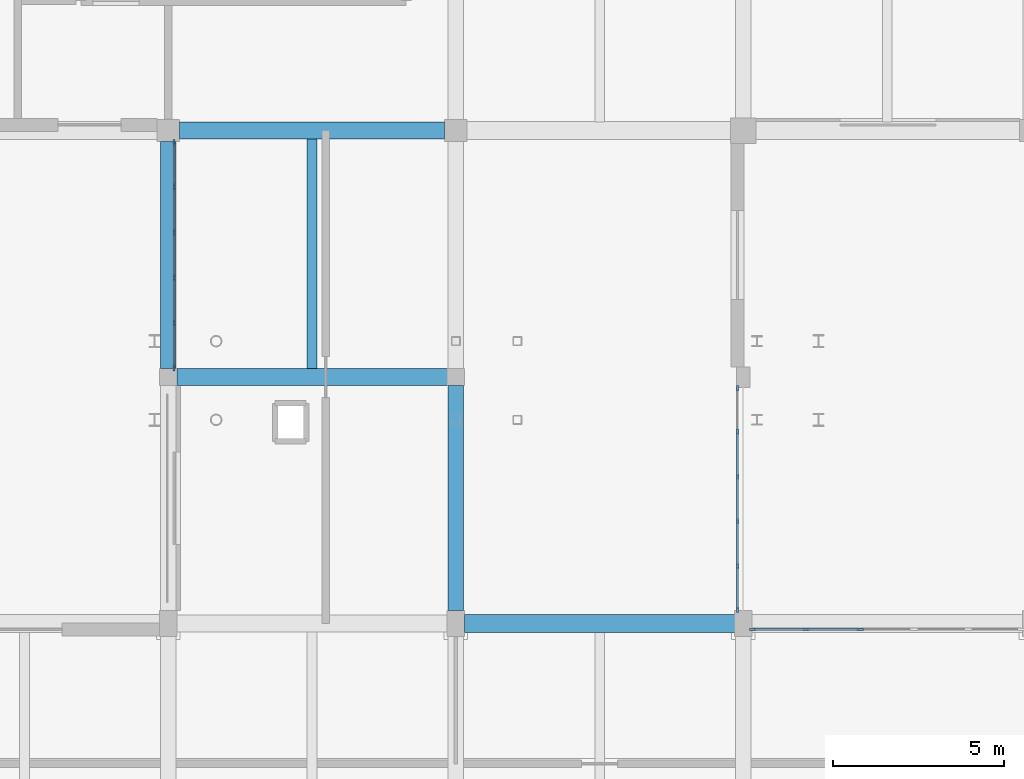
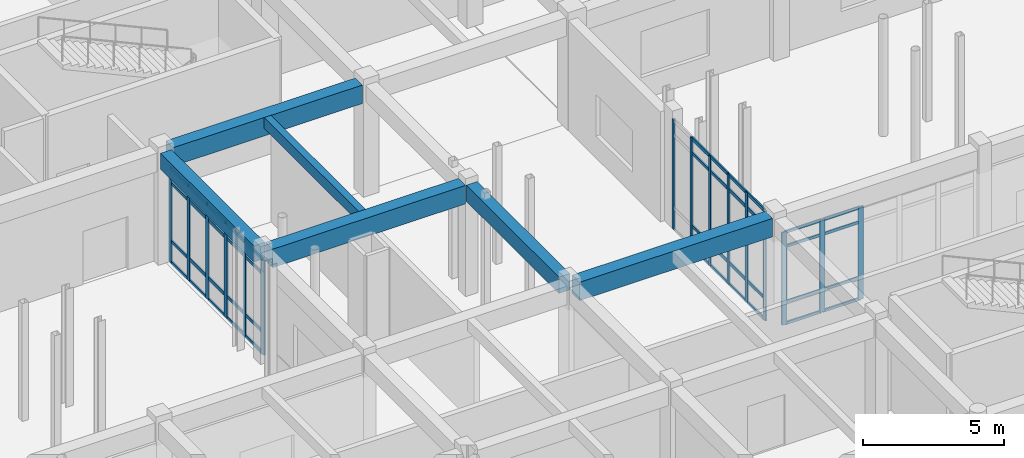
# One storey, part 49 of 121: 59 members, 6 beams, 3 elements without a shape of their own.
"""IFC4 building model written with IfcOpenShell, lengths in metres."""

from ifc_helpers import new_model, si_unit, direction, frame, origin, origin_2d, place, context, subcontext, project, spatial, rectangle, extrude, material, material_profile, profile_set, type_object, element, aggregate, save


model = new_model("IFC4")

# Units and contexts
model_context = context("Model", 3, precision=1e-05, world=origin(), true_north=direction((0.0, 1.0)))
body_context = subcontext(model_context, "Body", "Model", "MODEL_VIEW")
ifc_project = project(units=[si_unit("LENGTHUNIT", "METRE"), si_unit("AREAUNIT", "SQUARE_METRE"), si_unit("VOLUMEUNIT", "CUBIC_METRE"), si_unit("PLANEANGLEUNIT", "RADIAN"), si_unit("MASSUNIT", "GRAM", prefix="KILO")], contexts=[model_context])

# Site, building, storey
site_placement = place(None, origin())
site = spatial("IfcSite", under=ifc_project, at=site_placement, CompositionType="ELEMENT")
building_placement = place(site_placement, origin())
building = spatial("IfcBuilding", under=site, at=building_placement, Name="Malvenik Polytechnic", CompositionType="ELEMENT")
storey_placement = place(building_placement, origin())
storey = spatial("IfcBuildingStorey", under=building, at=storey_placement, Name="L00", CompositionType="ELEMENT", Elevation=0.0)

# Curtain wall, members
ifc_material_1 = material(Name="Anodised aluminium 6060-T6", Category="aluminium")
curtain_wall_type_1 = type_object("IfcCurtainWallType", Name="ARC-CW-CW-13", PredefinedType="NOTDEFINED", material=ifc_material_1)
curtain_wall_1_placement = place(storey_placement, origin())
curtain_wall_1 = element("IfcCurtainWall", 1, at=curtain_wall_1_placement, inside=storey, type_object=curtain_wall_type_1, Name="Unitised Curtain Wall CW-13 L00 #20", PredefinedType="NOTDEFINED")
ifc_material_2 = material(Name="Anodised aluminium", Category="aluminium")
ifc_material_profile_1 = material_profile(ifc_material_2, rectangle(XDim=0.06005859375, YDim=0.159912109375, at=origin_2d()), Name="ALU MULLION 60x160")
ifc_profile_set_1 = profile_set([ifc_material_profile_1], Name="Anodised aluminium")
member_type_1 = type_object("IfcMemberType", Name="ARC-CWM-160", PredefinedType="MULLION", material=ifc_profile_set_1)
member_1_placement = place(storey_placement, frame((92.22998046875, 71.672119140625, 0.0), z_axis=(0.0, 0.0, 1.0), x_axis=(1.0, 0.0, 0.0)))
member_1 = element("IfcMember", 2, at=member_1_placement, type_object=member_type_1, Name="CW-13 mullion 1", PredefinedType="MULLION", context=body_context, shape_type="SweptSolid", body=[
    extrude(rectangle(XDim=0.06005859375, YDim=0.159912109375, at=origin_2d()), origin(), (0.0, 0.0, 1.0), 4.760009765625),
])
member_2_placement = place(storey_placement, frame((92.22998046875, 70.396240234375, 0.0), z_axis=(0.0, 0.0, 1.0), x_axis=(1.0, 0.0, 0.0)))
member_2 = element("IfcMember", 3, at=member_2_placement, type_object=member_type_1, Name="CW-13 mullion 2", PredefinedType="MULLION", context=body_context, shape_type="SweptSolid", body=[
    extrude(rectangle(XDim=0.06005859375, YDim=0.159912109375, at=origin_2d()), origin(), (0.0, 0.0, 1.0), 4.760009765625),
])
member_3_placement = place(storey_placement, frame((92.22998046875, 69.09033203125, 0.0), z_axis=(0.0, 0.0, 1.0), x_axis=(1.0, 0.0, 0.0)))
member_3 = element("IfcMember", 4, at=member_3_placement, type_object=member_type_1, Name="CW-13 mullion 3", PredefinedType="MULLION", context=body_context, shape_type="SweptSolid", body=[
    extrude(rectangle(XDim=0.06005859375, YDim=0.159912109375, at=origin_2d()), origin(), (0.0, 0.0, 1.0), 4.760009765625),
])
member_4_placement = place(storey_placement, frame((92.22998046875, 67.78466796875, 0.0), z_axis=(0.0, 0.0, 1.0), x_axis=(1.0, 0.0, 0.0)))
member_4 = element("IfcMember", 5, at=member_4_placement, type_object=member_type_1, Name="CW-13 mullion 4", PredefinedType="MULLION", context=body_context, shape_type="SweptSolid", body=[
    extrude(rectangle(XDim=0.06005859375, YDim=0.159912109375, at=origin_2d()), origin(), (0.0, 0.0, 1.0), 4.760009765625),
])
member_5_placement = place(storey_placement, frame((92.22998046875, 66.478759765625, 0.0), z_axis=(0.0, 0.0, 1.0), x_axis=(1.0, 0.0, 0.0)))
member_5 = element("IfcMember", 6, at=member_5_placement, type_object=member_type_1, Name="CW-13 mullion 5", PredefinedType="MULLION", context=body_context, shape_type="SweptSolid", body=[
    extrude(rectangle(XDim=0.06005859375, YDim=0.159912109375, at=origin_2d()), origin(), (0.0, 0.0, 1.0), 4.760009765625),
])
member_6_placement = place(storey_placement, frame((92.22998046875, 65.202880859375, 0.0), z_axis=(0.0, 0.0, 1.0), x_axis=(1.0, 0.0, 0.0)))
member_6 = element("IfcMember", 7, at=member_6_placement, type_object=member_type_1, Name="CW-13 mullion 6", PredefinedType="MULLION", context=body_context, shape_type="SweptSolid", body=[
    extrude(rectangle(XDim=0.06005859375, YDim=0.159912109375, at=origin_2d()), origin(), (0.0, 0.0, 1.0), 4.760009765625),
])

curtain_wall_type_2 = type_object("IfcCurtainWallType", Name="ARC-CW-CW-04", PredefinedType="NOTDEFINED", material=ifc_material_1)
curtain_wall_2_placement = place(storey_placement, origin())
curtain_wall_2 = element("IfcCurtainWall", 8, at=curtain_wall_2_placement, inside=storey, type_object=curtain_wall_type_2, Name="Unitised Curtain Wall CW-04 L00 #6", PredefinedType="NOTDEFINED")
ifc_material_profile_2 = material_profile(ifc_material_2, rectangle(XDim=0.06005859375, YDim=0.199951171875, at=origin_2d()), Name="ALU MULLION 60x200")
ifc_profile_set_2 = profile_set([ifc_material_profile_2], Name="Anodised aluminium")
member_type_2 = type_object("IfcMemberType", Name="ARC-CWM-200", PredefinedType="MULLION", material=ifc_profile_set_2)
member_7_placement = place(storey_placement, frame((75.77001953125, 72.278076171875, 0.0), z_axis=(0.0, 0.0, 1.0), x_axis=(-1.0, 0.0, 0.0)))
member_7 = element("IfcMember", 9, at=member_7_placement, type_object=member_type_2, Name="CW-04 mullion 1", PredefinedType="MULLION", context=body_context, shape_type="SweptSolid", body=[
    extrude(rectangle(XDim=0.06005859375, YDim=0.199951171875, at=origin_2d()), origin(), (0.0, 0.0, 1.0), 4.110107421875),
])
member_8_placement = place(storey_placement, frame((75.77001953125, 73.57373046875, 0.0), z_axis=(0.0, 0.0, 1.0), x_axis=(-1.0, 0.0, 0.0)))
member_8 = element("IfcMember", 10, at=member_8_placement, type_object=member_type_2, Name="CW-04 mullion 2", PredefinedType="MULLION", context=body_context, shape_type="SweptSolid", body=[
    extrude(rectangle(XDim=0.06005859375, YDim=0.199951171875, at=origin_2d()), origin(), (0.0, 0.0, 1.0), 4.110107421875),
])
member_9_placement = place(storey_placement, frame((75.77001953125, 74.899658203125, 0.0), z_axis=(0.0, 0.0, 1.0), x_axis=(-1.0, 0.0, 0.0)))
member_9 = element("IfcMember", 11, at=member_9_placement, type_object=member_type_2, Name="CW-04 mullion 3", PredefinedType="MULLION", context=body_context, shape_type="SweptSolid", body=[
    extrude(rectangle(XDim=0.06005859375, YDim=0.199951171875, at=origin_2d()), origin(), (0.0, 0.0, 1.0), 4.110107421875),
])
member_10_placement = place(storey_placement, frame((75.77001953125, 76.225341796875, 0.0), z_axis=(0.0, 0.0, 1.0), x_axis=(-1.0, 0.0, 0.0)))
member_10 = element("IfcMember", 12, at=member_10_placement, type_object=member_type_2, Name="CW-04 mullion 4", PredefinedType="MULLION", context=body_context, shape_type="SweptSolid", body=[
    extrude(rectangle(XDim=0.06005859375, YDim=0.199951171875, at=origin_2d()), origin(), (0.0, 0.0, 1.0), 4.110107421875),
])
member_11_placement = place(storey_placement, frame((75.77001953125, 77.55126953125, 0.0), z_axis=(0.0, 0.0, 1.0), x_axis=(-1.0, 0.0, 0.0)))
member_11 = element("IfcMember", 13, at=member_11_placement, type_object=member_type_2, Name="CW-04 mullion 5", PredefinedType="MULLION", context=body_context, shape_type="SweptSolid", body=[
    extrude(rectangle(XDim=0.06005859375, YDim=0.199951171875, at=origin_2d()), origin(), (0.0, 0.0, 1.0), 4.110107421875),
])
member_12_placement = place(storey_placement, frame((75.77001953125, 78.846923828125, 0.0), z_axis=(0.0, 0.0, 1.0), x_axis=(-1.0, 0.0, 0.0)))
member_12 = element("IfcMember", 14, at=member_12_placement, type_object=member_type_2, Name="CW-04 mullion 6", PredefinedType="MULLION", context=body_context, shape_type="SweptSolid", body=[
    extrude(rectangle(XDim=0.06005859375, YDim=0.199951171875, at=origin_2d()), origin(), (0.0, 0.0, 1.0), 4.110107421875),
])

curtain_wall_type_3 = type_object("IfcCurtainWallType", Name="ARC-CW-CW-01", PredefinedType="NOTDEFINED", material=ifc_material_1)
curtain_wall_3_placement = place(storey_placement, origin())
curtain_wall_3 = element("IfcCurtainWall", 15, at=curtain_wall_3_placement, inside=storey, type_object=curtain_wall_type_3, Name="Unitised Curtain Wall CW-01 L00 #21", PredefinedType="NOTDEFINED")
member_13_placement = place(storey_placement, frame((92.677978515625, 64.6298828125, 0.0), z_axis=(0.0, 0.0, 1.0), x_axis=(0.0, 1.0, 0.0)))
member_13 = element("IfcMember", 16, at=member_13_placement, type_object=member_type_2, Name="CW-01 mullion 1", PredefinedType="MULLION", context=body_context, shape_type="SweptSolid", body=[
    extrude(rectangle(XDim=0.06005859375, YDim=0.199951171875, at=origin_2d()), origin(), (0.0, 0.0, 1.0), 4.010009765625),
])
member_14_placement = place(storey_placement, frame((94.228759765625, 64.6298828125, 0.0), z_axis=(0.0, 0.0, 1.0), x_axis=(0.0, 1.0, 0.0)))
member_14 = element("IfcMember", 17, at=member_14_placement, type_object=member_type_2, Name="CW-01 mullion 2", PredefinedType="MULLION", context=body_context, shape_type="SweptSolid", body=[
    extrude(rectangle(XDim=0.06005859375, YDim=0.199951171875, at=origin_2d()), origin(), (0.0, 0.0, 1.0), 4.010009765625),
])
member_15_placement = place(storey_placement, frame((95.8095703125, 64.6298828125, 0.0), z_axis=(0.0, 0.0, 1.0), x_axis=(0.0, 1.0, 0.0)))
member_15 = element("IfcMember", 18, at=member_15_placement, type_object=member_type_2, Name="CW-01 mullion 3", PredefinedType="MULLION", context=body_context, shape_type="SweptSolid", body=[
    extrude(rectangle(XDim=0.06005859375, YDim=0.199951171875, at=origin_2d()), origin(), (0.0, 0.0, 1.0), 4.010009765625),
])
ifc_material_profile_3 = material_profile(ifc_material_2, rectangle(XDim=0.06005859375, YDim=0.1201171875, at=origin_2d()), Name="ALU TRANSOM 60x120")
ifc_profile_set_3 = profile_set([ifc_material_profile_3], Name="Anodised aluminium")
member_type_3 = type_object("IfcMemberType", Name="ARC-CWT-120", PredefinedType="USERDEFINED", material=ifc_profile_set_3)
member_16_placement = place(storey_placement, frame((92.7080078125, 64.6298828125, 0.030029296875), z_axis=(1.0, 0.0, 0.0), x_axis=(0.0, 1.0, 0.0)))
member_16 = element("IfcMember", 19, at=member_16_placement, type_object=member_type_3, Name="CW-01 transom 1.1", ObjectType="TRANSOM", PredefinedType="USERDEFINED", context=body_context, shape_type="SweptSolid", body=[
    extrude(rectangle(XDim=0.06005859375, YDim=0.1201171875, at=origin_2d()), origin(), (0.0, 0.0, 1.0), 1.49072265625),
])
member_17_placement = place(storey_placement, frame((92.7080078125, 64.6298828125, 0.949951171875), z_axis=(1.0, 0.0, 0.0), x_axis=(0.0, 1.0, 0.0)))
member_17 = element("IfcMember", 20, at=member_17_placement, type_object=member_type_3, Name="CW-01 transom 1.2", ObjectType="TRANSOM", PredefinedType="USERDEFINED", context=body_context, shape_type="SweptSolid", body=[
    extrude(rectangle(XDim=0.06005859375, YDim=0.1201171875, at=origin_2d()), origin(), (0.0, 0.0, 1.0), 1.49072265625),
])
member_18_placement = place(storey_placement, frame((92.7080078125, 64.6298828125, 3.360107421875), z_axis=(1.0, 0.0, 0.0), x_axis=(0.0, 1.0, 0.0)))
member_18 = element("IfcMember", 21, at=member_18_placement, type_object=member_type_3, Name="CW-01 transom 1.3", ObjectType="TRANSOM", PredefinedType="USERDEFINED", context=body_context, shape_type="SweptSolid", body=[
    extrude(rectangle(XDim=0.06005859375, YDim=0.1201171875, at=origin_2d()), origin(), (0.0, 0.0, 1.0), 1.49072265625),
])
member_19_placement = place(storey_placement, frame((92.7080078125, 64.6298828125, 3.97998046875), z_axis=(1.0, 0.0, 0.0), x_axis=(0.0, 1.0, 0.0)))
member_19 = element("IfcMember", 22, at=member_19_placement, type_object=member_type_3, Name="CW-01 transom 1.4", ObjectType="TRANSOM", PredefinedType="USERDEFINED", context=body_context, shape_type="SweptSolid", body=[
    extrude(rectangle(XDim=0.06005859375, YDim=0.1201171875, at=origin_2d()), origin(), (0.0, 0.0, 1.0), 1.49072265625),
])
member_20_placement = place(storey_placement, frame((94.2587890625, 64.6298828125, 0.030029296875), z_axis=(1.0, 0.0, 0.0), x_axis=(0.0, 1.0, 0.0)))
member_20 = element("IfcMember", 23, at=member_20_placement, type_object=member_type_3, Name="CW-01 transom 2.1", ObjectType="TRANSOM", PredefinedType="USERDEFINED", context=body_context, shape_type="SweptSolid", body=[
    extrude(rectangle(XDim=0.06005859375, YDim=0.1201171875, at=origin_2d()), origin(), (0.0, 0.0, 1.0), 1.520751953125),
])
member_21_placement = place(storey_placement, frame((94.2587890625, 64.6298828125, 0.949951171875), z_axis=(1.0, 0.0, 0.0), x_axis=(0.0, 1.0, 0.0)))
member_21 = element("IfcMember", 24, at=member_21_placement, type_object=member_type_3, Name="CW-01 transom 2.2", ObjectType="TRANSOM", PredefinedType="USERDEFINED", context=body_context, shape_type="SweptSolid", body=[
    extrude(rectangle(XDim=0.06005859375, YDim=0.1201171875, at=origin_2d()), origin(), (0.0, 0.0, 1.0), 1.520751953125),
])
member_22_placement = place(storey_placement, frame((94.2587890625, 64.6298828125, 3.360107421875), z_axis=(1.0, 0.0, 0.0), x_axis=(0.0, 1.0, 0.0)))
member_22 = element("IfcMember", 25, at=member_22_placement, type_object=member_type_3, Name="CW-01 transom 2.3", ObjectType="TRANSOM", PredefinedType="USERDEFINED", context=body_context, shape_type="SweptSolid", body=[
    extrude(rectangle(XDim=0.06005859375, YDim=0.1201171875, at=origin_2d()), origin(), (0.0, 0.0, 1.0), 1.520751953125),
])
member_23_placement = place(storey_placement, frame((94.2587890625, 64.6298828125, 3.97998046875), z_axis=(1.0, 0.0, 0.0), x_axis=(0.0, 1.0, 0.0)))
member_23 = element("IfcMember", 26, at=member_23_placement, type_object=member_type_3, Name="CW-01 transom 2.4", ObjectType="TRANSOM", PredefinedType="USERDEFINED", context=body_context, shape_type="SweptSolid", body=[
    extrude(rectangle(XDim=0.06005859375, YDim=0.1201171875, at=origin_2d()), origin(), (0.0, 0.0, 1.0), 1.520751953125),
])
aggregate(curtain_wall_3, [member_13, member_14, member_15, member_16, member_17, member_18, member_19, member_20, member_21, member_22, member_23])

# Member
ifc_material_profile_4 = material_profile(ifc_material_2, rectangle(XDim=0.06005859375, YDim=0.139892578125, at=origin_2d()), Name="ALU TRANSOM 60x140")
ifc_profile_set_4 = profile_set([ifc_material_profile_4], Name="Anodised aluminium")
member_type_4 = type_object("IfcMemberType", Name="ARC-CWT-140", PredefinedType="USERDEFINED", material=ifc_profile_set_4)
member_24_placement = place(storey_placement, frame((75.77001953125, 72.30810546875, 0.030029296875), z_axis=(0.0, 1.0, 0.0), x_axis=(-1.0, 0.0, 0.0)))
member_24 = element("IfcMember", 27, at=member_24_placement, type_object=member_type_4, Name="CW-04 transom 1.1", ObjectType="TRANSOM", PredefinedType="USERDEFINED", context=body_context, shape_type="SweptSolid", body=[
    extrude(rectangle(XDim=0.06005859375, YDim=0.139892578125, at=origin_2d()), origin(), (0.0, 0.0, 1.0), 1.235595703125),
])

member_25_placement = place(storey_placement, frame((75.77001953125, 72.30810546875, 0.949951171875), z_axis=(0.0, 1.0, 0.0), x_axis=(-1.0, 0.0, 0.0)))
member_25 = element("IfcMember", 28, at=member_25_placement, type_object=member_type_4, Name="CW-04 transom 1.2", ObjectType="TRANSOM", PredefinedType="USERDEFINED", context=body_context, shape_type="SweptSolid", body=[
    extrude(rectangle(XDim=0.06005859375, YDim=0.139892578125, at=origin_2d()), origin(), (0.0, 0.0, 1.0), 1.235595703125),
])

member_26_placement = place(storey_placement, frame((75.77001953125, 72.30810546875, 3.4599609375), z_axis=(0.0, 1.0, 0.0), x_axis=(-1.0, 0.0, 0.0)))
member_26 = element("IfcMember", 29, at=member_26_placement, type_object=member_type_4, Name="CW-04 transom 1.3", ObjectType="TRANSOM", PredefinedType="USERDEFINED", context=body_context, shape_type="SweptSolid", body=[
    extrude(rectangle(XDim=0.06005859375, YDim=0.139892578125, at=origin_2d()), origin(), (0.0, 0.0, 1.0), 1.235595703125),
])

member_27_placement = place(storey_placement, frame((75.77001953125, 72.30810546875, 4.080078125), z_axis=(0.0, 1.0, 0.0), x_axis=(-1.0, 0.0, 0.0)))
member_27 = element("IfcMember", 30, at=member_27_placement, type_object=member_type_4, Name="CW-04 transom 1.4", ObjectType="TRANSOM", PredefinedType="USERDEFINED", context=body_context, shape_type="SweptSolid", body=[
    extrude(rectangle(XDim=0.06005859375, YDim=0.139892578125, at=origin_2d()), origin(), (0.0, 0.0, 1.0), 1.235595703125),
])

member_28_placement = place(storey_placement, frame((75.77001953125, 73.603759765625, 0.030029296875), z_axis=(0.0, 1.0, 0.0), x_axis=(-1.0, 0.0, 0.0)))
member_28 = element("IfcMember", 31, at=member_28_placement, type_object=member_type_4, Name="CW-04 transom 2.1", ObjectType="TRANSOM", PredefinedType="USERDEFINED", context=body_context, shape_type="SweptSolid", body=[
    extrude(rectangle(XDim=0.06005859375, YDim=0.139892578125, at=origin_2d()), origin(), (0.0, 0.0, 1.0), 1.265869140625),
])

member_29_placement = place(storey_placement, frame((75.77001953125, 73.603759765625, 0.949951171875), z_axis=(0.0, 1.0, 0.0), x_axis=(-1.0, 0.0, 0.0)))
member_29 = element("IfcMember", 32, at=member_29_placement, type_object=member_type_4, Name="CW-04 transom 2.2", ObjectType="TRANSOM", PredefinedType="USERDEFINED", context=body_context, shape_type="SweptSolid", body=[
    extrude(rectangle(XDim=0.06005859375, YDim=0.139892578125, at=origin_2d()), origin(), (0.0, 0.0, 1.0), 1.265869140625),
])

member_30_placement = place(storey_placement, frame((75.77001953125, 73.603759765625, 3.4599609375), z_axis=(0.0, 1.0, 0.0), x_axis=(-1.0, 0.0, 0.0)))
member_30 = element("IfcMember", 33, at=member_30_placement, type_object=member_type_4, Name="CW-04 transom 2.3", ObjectType="TRANSOM", PredefinedType="USERDEFINED", context=body_context, shape_type="SweptSolid", body=[
    extrude(rectangle(XDim=0.06005859375, YDim=0.139892578125, at=origin_2d()), origin(), (0.0, 0.0, 1.0), 1.265869140625),
])

member_31_placement = place(storey_placement, frame((75.77001953125, 73.603759765625, 4.080078125), z_axis=(0.0, 1.0, 0.0), x_axis=(-1.0, 0.0, 0.0)))
member_31 = element("IfcMember", 34, at=member_31_placement, type_object=member_type_4, Name="CW-04 transom 2.4", ObjectType="TRANSOM", PredefinedType="USERDEFINED", context=body_context, shape_type="SweptSolid", body=[
    extrude(rectangle(XDim=0.06005859375, YDim=0.139892578125, at=origin_2d()), origin(), (0.0, 0.0, 1.0), 1.265869140625),
])

member_32_placement = place(storey_placement, frame((75.77001953125, 74.9296875, 0.030029296875), z_axis=(0.0, 1.0, 0.0), x_axis=(-1.0, 0.0, 0.0)))
member_32 = element("IfcMember", 35, at=member_32_placement, type_object=member_type_4, Name="CW-04 transom 3.1", ObjectType="TRANSOM", PredefinedType="USERDEFINED", context=body_context, shape_type="SweptSolid", body=[
    extrude(rectangle(XDim=0.06005859375, YDim=0.139892578125, at=origin_2d()), origin(), (0.0, 0.0, 1.0), 1.265625),
])

member_33_placement = place(storey_placement, frame((75.77001953125, 74.9296875, 0.949951171875), z_axis=(0.0, 1.0, 0.0), x_axis=(-1.0, 0.0, 0.0)))
member_33 = element("IfcMember", 36, at=member_33_placement, type_object=member_type_4, Name="CW-04 transom 3.2", ObjectType="TRANSOM", PredefinedType="USERDEFINED", context=body_context, shape_type="SweptSolid", body=[
    extrude(rectangle(XDim=0.06005859375, YDim=0.139892578125, at=origin_2d()), origin(), (0.0, 0.0, 1.0), 1.265625),
])

member_34_placement = place(storey_placement, frame((75.77001953125, 74.9296875, 3.4599609375), z_axis=(0.0, 1.0, 0.0), x_axis=(-1.0, 0.0, 0.0)))
member_34 = element("IfcMember", 37, at=member_34_placement, type_object=member_type_4, Name="CW-04 transom 3.3", ObjectType="TRANSOM", PredefinedType="USERDEFINED", context=body_context, shape_type="SweptSolid", body=[
    extrude(rectangle(XDim=0.06005859375, YDim=0.139892578125, at=origin_2d()), origin(), (0.0, 0.0, 1.0), 1.265625),
])

member_35_placement = place(storey_placement, frame((75.77001953125, 74.9296875, 4.080078125), z_axis=(0.0, 1.0, 0.0), x_axis=(-1.0, 0.0, 0.0)))
member_35 = element("IfcMember", 38, at=member_35_placement, type_object=member_type_4, Name="CW-04 transom 3.4", ObjectType="TRANSOM", PredefinedType="USERDEFINED", context=body_context, shape_type="SweptSolid", body=[
    extrude(rectangle(XDim=0.06005859375, YDim=0.139892578125, at=origin_2d()), origin(), (0.0, 0.0, 1.0), 1.265625),
])

member_36_placement = place(storey_placement, frame((75.77001953125, 76.25537109375, 0.030029296875), z_axis=(0.0, 1.0, 0.0), x_axis=(-1.0, 0.0, 0.0)))
member_36 = element("IfcMember", 39, at=member_36_placement, type_object=member_type_4, Name="CW-04 transom 4.1", ObjectType="TRANSOM", PredefinedType="USERDEFINED", context=body_context, shape_type="SweptSolid", body=[
    extrude(rectangle(XDim=0.06005859375, YDim=0.139892578125, at=origin_2d()), origin(), (0.0, 0.0, 1.0), 1.265869140625),
])

member_37_placement = place(storey_placement, frame((75.77001953125, 76.25537109375, 0.949951171875), z_axis=(0.0, 1.0, 0.0), x_axis=(-1.0, 0.0, 0.0)))
member_37 = element("IfcMember", 40, at=member_37_placement, type_object=member_type_4, Name="CW-04 transom 4.2", ObjectType="TRANSOM", PredefinedType="USERDEFINED", context=body_context, shape_type="SweptSolid", body=[
    extrude(rectangle(XDim=0.06005859375, YDim=0.139892578125, at=origin_2d()), origin(), (0.0, 0.0, 1.0), 1.265869140625),
])

member_38_placement = place(storey_placement, frame((75.77001953125, 76.25537109375, 3.4599609375), z_axis=(0.0, 1.0, 0.0), x_axis=(-1.0, 0.0, 0.0)))
member_38 = element("IfcMember", 41, at=member_38_placement, type_object=member_type_4, Name="CW-04 transom 4.3", ObjectType="TRANSOM", PredefinedType="USERDEFINED", context=body_context, shape_type="SweptSolid", body=[
    extrude(rectangle(XDim=0.06005859375, YDim=0.139892578125, at=origin_2d()), origin(), (0.0, 0.0, 1.0), 1.265869140625),
])

member_39_placement = place(storey_placement, frame((75.77001953125, 76.25537109375, 4.080078125), z_axis=(0.0, 1.0, 0.0), x_axis=(-1.0, 0.0, 0.0)))
member_39 = element("IfcMember", 42, at=member_39_placement, type_object=member_type_4, Name="CW-04 transom 4.4", ObjectType="TRANSOM", PredefinedType="USERDEFINED", context=body_context, shape_type="SweptSolid", body=[
    extrude(rectangle(XDim=0.06005859375, YDim=0.139892578125, at=origin_2d()), origin(), (0.0, 0.0, 1.0), 1.265869140625),
])

member_40_placement = place(storey_placement, frame((75.77001953125, 77.581298828125, 0.030029296875), z_axis=(0.0, 1.0, 0.0), x_axis=(-1.0, 0.0, 0.0)))
member_40 = element("IfcMember", 43, at=member_40_placement, type_object=member_type_4, Name="CW-04 transom 5.1", ObjectType="TRANSOM", PredefinedType="USERDEFINED", context=body_context, shape_type="SweptSolid", body=[
    extrude(rectangle(XDim=0.06005859375, YDim=0.139892578125, at=origin_2d()), origin(), (0.0, 0.0, 1.0), 1.235595703125),
])

member_41_placement = place(storey_placement, frame((75.77001953125, 77.581298828125, 0.949951171875), z_axis=(0.0, 1.0, 0.0), x_axis=(-1.0, 0.0, 0.0)))
member_41 = element("IfcMember", 44, at=member_41_placement, type_object=member_type_4, Name="CW-04 transom 5.2", ObjectType="TRANSOM", PredefinedType="USERDEFINED", context=body_context, shape_type="SweptSolid", body=[
    extrude(rectangle(XDim=0.06005859375, YDim=0.139892578125, at=origin_2d()), origin(), (0.0, 0.0, 1.0), 1.235595703125),
])

member_42_placement = place(storey_placement, frame((75.77001953125, 77.581298828125, 3.4599609375), z_axis=(0.0, 1.0, 0.0), x_axis=(-1.0, 0.0, 0.0)))
member_42 = element("IfcMember", 45, at=member_42_placement, type_object=member_type_4, Name="CW-04 transom 5.3", ObjectType="TRANSOM", PredefinedType="USERDEFINED", context=body_context, shape_type="SweptSolid", body=[
    extrude(rectangle(XDim=0.06005859375, YDim=0.139892578125, at=origin_2d()), origin(), (0.0, 0.0, 1.0), 1.235595703125),
])

member_43_placement = place(storey_placement, frame((75.77001953125, 77.581298828125, 4.080078125), z_axis=(0.0, 1.0, 0.0), x_axis=(-1.0, 0.0, 0.0)))
member_43 = element("IfcMember", 46, at=member_43_placement, type_object=member_type_4, Name="CW-04 transom 5.4", ObjectType="TRANSOM", PredefinedType="USERDEFINED", context=body_context, shape_type="SweptSolid", body=[
    extrude(rectangle(XDim=0.06005859375, YDim=0.139892578125, at=origin_2d()), origin(), (0.0, 0.0, 1.0), 1.235595703125),
])

aggregate(curtain_wall_2, [member_7, member_8, member_9, member_10, member_11, member_12, member_24, member_25, member_26, member_27, member_28, member_29, member_30, member_31, member_32, member_33, member_34, member_35, member_36, member_37, member_38, member_39, member_40, member_41, member_42, member_43])

member_44_placement = place(storey_placement, frame((92.22998046875, 70.3662109375, 0.030029296875), z_axis=(0.0, -1.0, 0.0), x_axis=(1.0, 0.0, 0.0)))
member_44 = element("IfcMember", 47, at=member_44_placement, type_object=member_type_4, Name="CW-13 transom 2.1", ObjectType="TRANSOM", PredefinedType="USERDEFINED", context=body_context, shape_type="SweptSolid", body=[
    extrude(rectangle(XDim=0.06005859375, YDim=0.139892578125, at=origin_2d()), origin(), (0.0, 0.0, 1.0), 1.245849609375),
])

member_45_placement = place(storey_placement, frame((92.22998046875, 70.3662109375, 0.949951171875), z_axis=(0.0, -1.0, 0.0), x_axis=(1.0, 0.0, 0.0)))
member_45 = element("IfcMember", 48, at=member_45_placement, type_object=member_type_4, Name="CW-13 transom 2.2", ObjectType="TRANSOM", PredefinedType="USERDEFINED", context=body_context, shape_type="SweptSolid", body=[
    extrude(rectangle(XDim=0.06005859375, YDim=0.139892578125, at=origin_2d()), origin(), (0.0, 0.0, 1.0), 1.245849609375),
])

member_46_placement = place(storey_placement, frame((92.22998046875, 70.3662109375, 4.110107421875), z_axis=(0.0, -1.0, 0.0), x_axis=(1.0, 0.0, 0.0)))
member_46 = element("IfcMember", 49, at=member_46_placement, type_object=member_type_4, Name="CW-13 transom 2.3", ObjectType="TRANSOM", PredefinedType="USERDEFINED", context=body_context, shape_type="SweptSolid", body=[
    extrude(rectangle(XDim=0.06005859375, YDim=0.139892578125, at=origin_2d()), origin(), (0.0, 0.0, 1.0), 1.245849609375),
])

member_47_placement = place(storey_placement, frame((92.22998046875, 70.3662109375, 4.72998046875), z_axis=(0.0, -1.0, 0.0), x_axis=(1.0, 0.0, 0.0)))
member_47 = element("IfcMember", 50, at=member_47_placement, type_object=member_type_4, Name="CW-13 transom 2.4", ObjectType="TRANSOM", PredefinedType="USERDEFINED", context=body_context, shape_type="SweptSolid", body=[
    extrude(rectangle(XDim=0.06005859375, YDim=0.139892578125, at=origin_2d()), origin(), (0.0, 0.0, 1.0), 1.245849609375),
])

member_48_placement = place(storey_placement, frame((92.22998046875, 69.060302734375, 0.030029296875), z_axis=(0.0, -1.0, 0.0), x_axis=(1.0, 0.0, 0.0)))
member_48 = element("IfcMember", 51, at=member_48_placement, type_object=member_type_4, Name="CW-13 transom 3.1", ObjectType="TRANSOM", PredefinedType="USERDEFINED", context=body_context, shape_type="SweptSolid", body=[
    extrude(rectangle(XDim=0.06005859375, YDim=0.139892578125, at=origin_2d()), origin(), (0.0, 0.0, 1.0), 1.24560546875),
])

member_49_placement = place(storey_placement, frame((92.22998046875, 69.060302734375, 0.949951171875), z_axis=(0.0, -1.0, 0.0), x_axis=(1.0, 0.0, 0.0)))
member_49 = element("IfcMember", 52, at=member_49_placement, type_object=member_type_4, Name="CW-13 transom 3.2", ObjectType="TRANSOM", PredefinedType="USERDEFINED", context=body_context, shape_type="SweptSolid", body=[
    extrude(rectangle(XDim=0.06005859375, YDim=0.139892578125, at=origin_2d()), origin(), (0.0, 0.0, 1.0), 1.24560546875),
])

member_50_placement = place(storey_placement, frame((92.22998046875, 69.060302734375, 4.110107421875), z_axis=(0.0, -1.0, 0.0), x_axis=(1.0, 0.0, 0.0)))
member_50 = element("IfcMember", 53, at=member_50_placement, type_object=member_type_4, Name="CW-13 transom 3.3", ObjectType="TRANSOM", PredefinedType="USERDEFINED", context=body_context, shape_type="SweptSolid", body=[
    extrude(rectangle(XDim=0.06005859375, YDim=0.139892578125, at=origin_2d()), origin(), (0.0, 0.0, 1.0), 1.24560546875),
])

member_51_placement = place(storey_placement, frame((92.22998046875, 69.060302734375, 4.72998046875), z_axis=(0.0, -1.0, 0.0), x_axis=(1.0, 0.0, 0.0)))
member_51 = element("IfcMember", 54, at=member_51_placement, type_object=member_type_4, Name="CW-13 transom 3.4", ObjectType="TRANSOM", PredefinedType="USERDEFINED", context=body_context, shape_type="SweptSolid", body=[
    extrude(rectangle(XDim=0.06005859375, YDim=0.139892578125, at=origin_2d()), origin(), (0.0, 0.0, 1.0), 1.24560546875),
])

member_52_placement = place(storey_placement, frame((92.22998046875, 67.754638671875, 0.030029296875), z_axis=(0.0, -1.0, 0.0), x_axis=(1.0, 0.0, 0.0)))
member_52 = element("IfcMember", 55, at=member_52_placement, type_object=member_type_4, Name="CW-13 transom 4.1", ObjectType="TRANSOM", PredefinedType="USERDEFINED", context=body_context, shape_type="SweptSolid", body=[
    extrude(rectangle(XDim=0.06005859375, YDim=0.139892578125, at=origin_2d()), origin(), (0.0, 0.0, 1.0), 1.245849609375),
])

member_53_placement = place(storey_placement, frame((92.22998046875, 67.754638671875, 0.949951171875), z_axis=(0.0, -1.0, 0.0), x_axis=(1.0, 0.0, 0.0)))
member_53 = element("IfcMember", 56, at=member_53_placement, type_object=member_type_4, Name="CW-13 transom 4.2", ObjectType="TRANSOM", PredefinedType="USERDEFINED", context=body_context, shape_type="SweptSolid", body=[
    extrude(rectangle(XDim=0.06005859375, YDim=0.139892578125, at=origin_2d()), origin(), (0.0, 0.0, 1.0), 1.245849609375),
])

member_54_placement = place(storey_placement, frame((92.22998046875, 67.754638671875, 4.110107421875), z_axis=(0.0, -1.0, 0.0), x_axis=(1.0, 0.0, 0.0)))
member_54 = element("IfcMember", 57, at=member_54_placement, type_object=member_type_4, Name="CW-13 transom 4.3", ObjectType="TRANSOM", PredefinedType="USERDEFINED", context=body_context, shape_type="SweptSolid", body=[
    extrude(rectangle(XDim=0.06005859375, YDim=0.139892578125, at=origin_2d()), origin(), (0.0, 0.0, 1.0), 1.245849609375),
])

member_55_placement = place(storey_placement, frame((92.22998046875, 67.754638671875, 4.72998046875), z_axis=(0.0, -1.0, 0.0), x_axis=(1.0, 0.0, 0.0)))
member_55 = element("IfcMember", 58, at=member_55_placement, type_object=member_type_4, Name="CW-13 transom 4.4", ObjectType="TRANSOM", PredefinedType="USERDEFINED", context=body_context, shape_type="SweptSolid", body=[
    extrude(rectangle(XDim=0.06005859375, YDim=0.139892578125, at=origin_2d()), origin(), (0.0, 0.0, 1.0), 1.245849609375),
])

member_56_placement = place(storey_placement, frame((92.22998046875, 66.44873046875, 0.030029296875), z_axis=(0.0, -1.0, 0.0), x_axis=(1.0, 0.0, 0.0)))
member_56 = element("IfcMember", 59, at=member_56_placement, type_object=member_type_4, Name="CW-13 transom 5.1", ObjectType="TRANSOM", PredefinedType="USERDEFINED", context=body_context, shape_type="SweptSolid", body=[
    extrude(rectangle(XDim=0.06005859375, YDim=0.139892578125, at=origin_2d()), origin(), (0.0, 0.0, 1.0), 1.2158203125),
])

member_57_placement = place(storey_placement, frame((92.22998046875, 66.44873046875, 0.949951171875), z_axis=(0.0, -1.0, 0.0), x_axis=(1.0, 0.0, 0.0)))
member_57 = element("IfcMember", 60, at=member_57_placement, type_object=member_type_4, Name="CW-13 transom 5.2", ObjectType="TRANSOM", PredefinedType="USERDEFINED", context=body_context, shape_type="SweptSolid", body=[
    extrude(rectangle(XDim=0.06005859375, YDim=0.139892578125, at=origin_2d()), origin(), (0.0, 0.0, 1.0), 1.2158203125),
])

member_58_placement = place(storey_placement, frame((92.22998046875, 66.44873046875, 4.110107421875), z_axis=(0.0, -1.0, 0.0), x_axis=(1.0, 0.0, 0.0)))
member_58 = element("IfcMember", 61, at=member_58_placement, type_object=member_type_4, Name="CW-13 transom 5.3", ObjectType="TRANSOM", PredefinedType="USERDEFINED", context=body_context, shape_type="SweptSolid", body=[
    extrude(rectangle(XDim=0.06005859375, YDim=0.139892578125, at=origin_2d()), origin(), (0.0, 0.0, 1.0), 1.2158203125),
])

member_59_placement = place(storey_placement, frame((92.22998046875, 66.44873046875, 4.72998046875), z_axis=(0.0, -1.0, 0.0), x_axis=(1.0, 0.0, 0.0)))
member_59 = element("IfcMember", 62, at=member_59_placement, type_object=member_type_4, Name="CW-13 transom 5.4", ObjectType="TRANSOM", PredefinedType="USERDEFINED", context=body_context, shape_type="SweptSolid", body=[
    extrude(rectangle(XDim=0.06005859375, YDim=0.139892578125, at=origin_2d()), origin(), (0.0, 0.0, 1.0), 1.2158203125),
])

aggregate(curtain_wall_1, [member_1, member_2, member_3, member_4, member_5, member_6, member_44, member_45, member_46, member_47, member_48, member_49, member_50, member_51, member_52, member_53, member_54, member_55, member_56, member_57, member_58, member_59])

# Beams
ifc_material_3 = material(Name="Concrete C35/45", Category="concrete")
ifc_material_profile_5 = material_profile(ifc_material_3, rectangle(XDim=0.5, YDim=0.800048828125, at=origin_2d()), Name="RC BM 500x800")
ifc_profile_set_5 = profile_set([ifc_material_profile_5], Name="Concrete C35/45")
beam_type_1 = type_object("IfcBeamType", Name="STR-BM-B-02", PredefinedType="BEAM", material=ifc_profile_set_5)
beam_1_placement = place(storey_placement, frame((75.847900390625, 72.0, 4.419921875), z_axis=(1.0, 0.0, 0.0), x_axis=(0.0, 1.0, 0.0)))
element("IfcBeam", 63, at=beam_1_placement, inside=storey, type_object=beam_type_1, Name="Primary Beam B-02 L00 #611", PredefinedType="BEAM", context=body_context, shape_type="SweptSolid", body=[
    extrude(rectangle(XDim=0.5, YDim=0.800048828125, at=origin_2d()), origin(), (0.0, 0.0, 1.0), 7.904052734375),
])
beam_2_placement = place(storey_placement, frame((75.923095703125, 79.199951171875, 4.419921875), z_axis=(1.0, 0.0, 0.0), x_axis=(0.0, 1.0, 0.0)))
element("IfcBeam", 64, at=beam_2_placement, inside=storey, type_object=beam_type_1, Name="Primary Beam B-02 L00 #621", PredefinedType="BEAM", context=body_context, shape_type="SweptSolid", body=[
    extrude(rectangle(XDim=0.5, YDim=0.800048828125, at=origin_2d()), origin(), (0.0, 0.0, 1.0), 7.75390625),
])
ifc_material_profile_6 = material_profile(ifc_material_3, rectangle(XDim=0.449951171875, YDim=0.699951171875, at=origin_2d()), Name="RC BM 450x700")
ifc_profile_set_6 = profile_set([ifc_material_profile_6], Name="Concrete C35/45")
beam_type_2 = type_object("IfcBeamType", Name="STR-BM-B-04", PredefinedType="BEAM", material=ifc_profile_set_6)
beam_3_placement = place(storey_placement, frame((75.60009765625, 72.248046875, 4.469970703125), z_axis=(0.0, 1.0, 0.0), x_axis=(-1.0, 0.0, 0.0)))
element("IfcBeam", 65, at=beam_3_placement, inside=storey, type_object=beam_type_2, Name="Transverse Beam B-04 L00 #773", PredefinedType="BEAM", context=body_context, shape_type="SweptSolid", body=[
    extrude(rectangle(XDim=0.449951171875, YDim=0.699951171875, at=origin_2d()), origin(), (0.0, 0.0, 1.0), 6.62890625),
])
beam_4_placement = place(storey_placement, frame((84.0, 65.173095703125, 4.469970703125), z_axis=(0.0, 1.0, 0.0), x_axis=(-1.0, 0.0, 0.0)))
element("IfcBeam", 66, at=beam_4_placement, inside=storey, type_object=beam_type_2, Name="Transverse Beam B-04 L00 #785", PredefinedType="BEAM", context=body_context, shape_type="SweptSolid", body=[
    extrude(rectangle(XDim=0.449951171875, YDim=0.699951171875, at=origin_2d()), origin(), (0.0, 0.0, 1.0), 6.578857421875),
])
ifc_material_4 = material(Name="Concrete C30/37", Category="concrete")
ifc_material_profile_7 = material_profile(ifc_material_4, rectangle(XDim=0.280029296875, YDim=0.47998046875, at=origin_2d()), Name="RC JST 280x480")
ifc_profile_set_7 = profile_set([ifc_material_profile_7], Name="Concrete C30/37")
beam_type_3 = type_object("IfcBeamType", Name="STR-BM-J-01", PredefinedType="JOIST", material=ifc_profile_set_7)
beam_5_placement = place(storey_placement, frame((79.800048828125, 72.248046875, 4.580078125), z_axis=(0.0, 1.0, 0.0), x_axis=(-1.0, 0.0, 0.0)))
element("IfcBeam", 67, at=beam_5_placement, inside=storey, type_object=beam_type_3, Name="Secondary Rib Joist J-01 L00 #904", PredefinedType="JOIST", context=body_context, shape_type="SweptSolid", body=[
    extrude(rectangle(XDim=0.280029296875, YDim=0.47998046875, at=origin_2d()), origin(), (0.0, 0.0, 1.0), 6.703857421875),
])
ifc_material_5 = material(Name="Precast concrete C40/50", Category="concrete")
ifc_material_profile_8 = material_profile(ifc_material_5, rectangle(XDim=0.52001953125, YDim=0.800048828125, at=origin_2d()), Name="PC SPN 520x800")
ifc_profile_set_8 = profile_set([ifc_material_profile_8], Name="Precast concrete C40/50")
beam_type_4 = type_object("IfcBeamType", Name="STR-BM-SP-01", PredefinedType="SPANDREL", material=ifc_profile_set_8)
beam_6_placement = place(storey_placement, frame((84.248046875, 64.800048828125, 4.419921875), z_axis=(1.0, 0.0, 0.0), x_axis=(0.0, 1.0, 0.0)))
element("IfcBeam", 68, at=beam_6_placement, inside=storey, type_object=beam_type_4, Name="Primary Beam SP-01 L00 #605", PredefinedType="SPANDREL", context=body_context, shape_type="SweptSolid", body=[
    extrude(rectangle(XDim=0.52001953125, YDim=0.800048828125, at=origin_2d()), origin(), (0.0, 0.0, 1.0), 7.904052734375),
])

save(model, "model.ifc")
